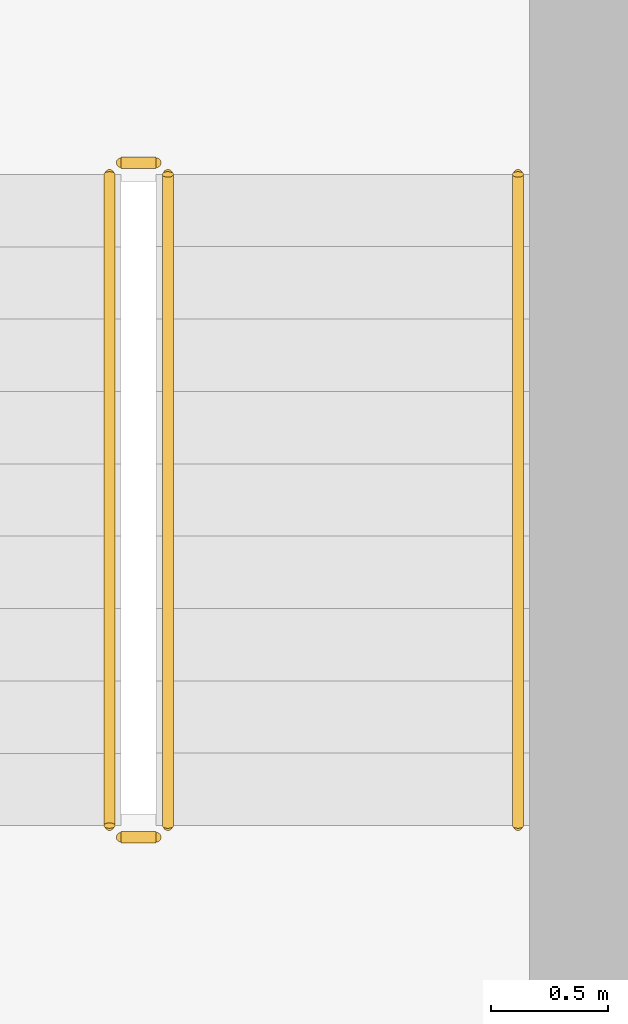
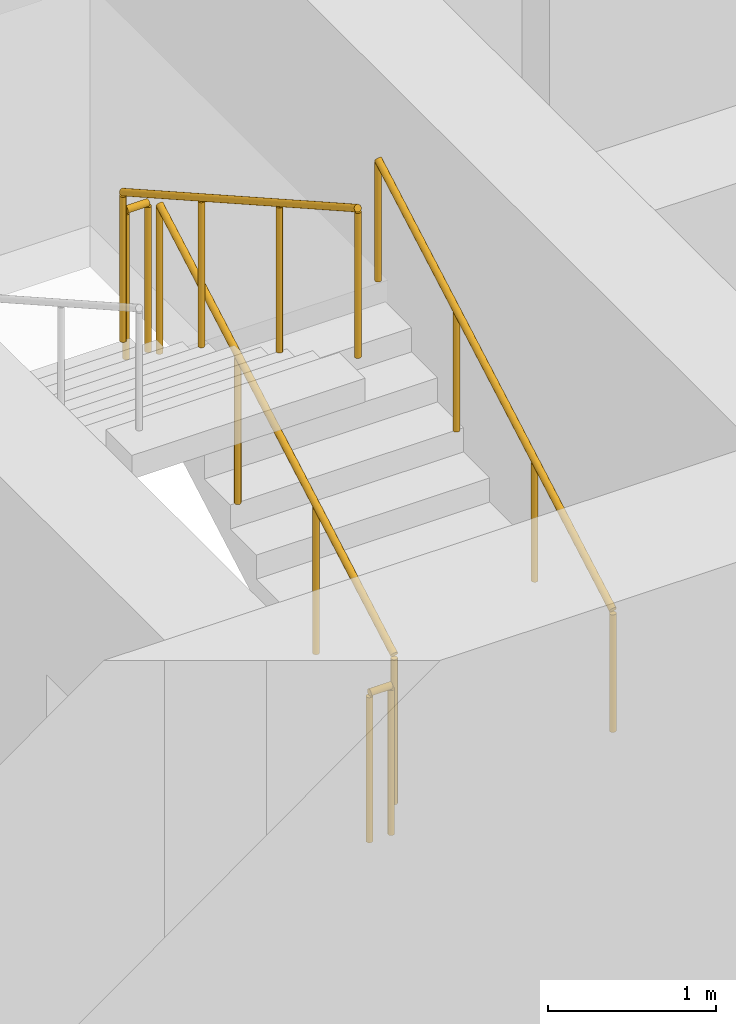
# One storey, part 17 of 21: 5 railings.
"""IFC4 building model written with IfcOpenShell, lengths in metres."""

from ifc_helpers import new_model, si_unit, direction, frame, origin, origin_2d, place, context, subcontext, project, spatial, circle, extrude, material, type_object, element, save


model = new_model("IFC4")

# Units and contexts
model_context = context("Model", 3, precision=1e-05, world=origin(), true_north=direction((0.0, 1.0)))
body_context = subcontext(model_context, "Body", "Model", "MODEL_VIEW")
ifc_project = project(units=[si_unit("LENGTHUNIT", "METRE"), si_unit("AREAUNIT", "SQUARE_METRE"), si_unit("VOLUMEUNIT", "CUBIC_METRE"), si_unit("PLANEANGLEUNIT", "RADIAN"), si_unit("MASSUNIT", "GRAM", prefix="KILO")], contexts=[model_context])

# Site, building, storey
site_placement = place(None, origin())
site = spatial("IfcSite", under=ifc_project, at=site_placement, CompositionType="ELEMENT")
building_placement = place(site_placement, origin())
building = spatial("IfcBuilding", under=site, at=building_placement, Name="Madar Terraces", CompositionType="ELEMENT")
storey_placement = place(building_placement, frame((0.0, 0.0, 36.39990234375)))
storey = spatial("IfcBuildingStorey", under=building, at=storey_placement, Name="L08", CompositionType="ELEMENT", Elevation=36.39990234375)

# Railings
ifc_material_1 = material(Name="Stainless steel railing", Category="steel")
railing_type_1 = type_object("IfcRailingType", Name="Stair guard 1100", PredefinedType="GUARDRAIL", material=ifc_material_1)
railing_1_placement = place(storey_placement, frame((21.199951171875, 17.60009765625, 0.175048828125)))
element("IfcRailing", 1, at=railing_1_placement, inside=storey, type_object=railing_type_1, Name="L08 ST1 stair guard 1", PredefinedType="GUARDRAIL", context=body_context, shape_type="SweptSolid", body=[
    extrude(circle(Radius=0.02392578125, at=origin_2d()), frame((0.0, 0.0, 1.076171875), z_axis=(0.0, 0.870815363784, 0.491610213684), x_axis=(-1.0, 0.0, 0.0)), (0.0, 0.0, 1.0), 3.20361328125),
    extrude(circle(Radius=0.02099609375, at=origin_2d()), origin(), (0.0, 0.0, 1.0), 1.052001953125),
    extrude(circle(Radius=0.02099609375, at=origin_2d()), frame((0.0, 0.929931640625, 0.52490234375)), (0.0, 0.0, 1.0), 1.052001953125),
    extrude(circle(Radius=0.02099609375, at=origin_2d()), frame((0.0, 1.85986328125, 1.050048828125)), (0.0, 0.0, 1.0), 1.052001953125),
    extrude(circle(Radius=0.02099609375, at=origin_2d()), frame((0.0, 2.789794921875, 1.574951171875)), (0.0, 0.0, 1.0), 1.052001953125),
])
railing_2_placement = place(storey_placement, frame((21.14990234375, 20.43994140625, 1.75)))
element("IfcRailing", 2, at=railing_2_placement, inside=storey, type_object=railing_type_1, Name="L08 ST1 stair guard 2", PredefinedType="GUARDRAIL", context=body_context, shape_type="SweptSolid", body=[
    extrude(circle(Radius=0.02392578125, at=origin_2d()), frame((0.0, 0.0, 1.076171875), z_axis=(-1.0, 0.0, 0.0), x_axis=(0.0, -1.0, 0.0)), (0.0, 0.0, 1.0), 0.14990234375),
    extrude(circle(Radius=0.02099609375, at=origin_2d()), origin(), (0.0, 0.0, 1.0), 1.052001953125),
    extrude(circle(Radius=0.02099609375, at=origin_2d()), frame((-0.14990234375, 0.0, 0.0)), (0.0, 0.0, 1.0), 1.052001953125),
])
railing_3_placement = place(storey_placement, frame((20.949951171875, 20.389892578125, 1.925048828125)))
element("IfcRailing", 3, at=railing_3_placement, inside=storey, type_object=railing_type_1, Name="L08 ST1 stair guard 3", PredefinedType="GUARDRAIL", context=body_context, shape_type="SweptSolid", body=[
    extrude(circle(Radius=0.02392578125, at=origin_2d()), frame((0.0, 0.0, 1.076171875), z_axis=(0.0, -0.870815363784, 0.491610213684), x_axis=(1.0, 0.0, 0.0)), (0.0, 0.0, 1.0), 3.20361328125),
    extrude(circle(Radius=0.02099609375, at=origin_2d()), origin(), (0.0, 0.0, 1.0), 1.052001953125),
    extrude(circle(Radius=0.02099609375, at=origin_2d()), frame((0.0, -0.929931640625, 0.52490234375)), (0.0, 0.0, 1.0), 1.052001953125),
    extrude(circle(Radius=0.02099609375, at=origin_2d()), frame((0.0, -1.85986328125, 1.050048828125)), (0.0, 0.0, 1.0), 1.052001953125),
    extrude(circle(Radius=0.02099609375, at=origin_2d()), frame((0.0, -2.789794921875, 1.574951171875)), (0.0, 0.0, 1.0), 1.052001953125),
])
railing_4_placement = place(storey_placement, frame((21.14990234375, 17.550048828125, 0.0)))
element("IfcRailing", 4, at=railing_4_placement, inside=storey, type_object=railing_type_1, Name="L08 ST1 stair guard 4", PredefinedType="GUARDRAIL", context=body_context, shape_type="SweptSolid", body=[
    extrude(circle(Radius=0.02392578125, at=origin_2d()), frame((0.0, 0.0, 1.076171875), z_axis=(-1.0, 0.0, 0.0), x_axis=(0.0, -1.0, 0.0)), (0.0, 0.0, 1.0), 0.14990234375),
    extrude(circle(Radius=0.02099609375, at=origin_2d()), origin(), (0.0, 0.0, 1.0), 1.052001953125),
    extrude(circle(Radius=0.02099609375, at=origin_2d()), frame((-0.14990234375, 0.0, 0.0)), (0.0, 0.0, 1.0), 1.052001953125),
])
ifc_material_2 = material(Name="Stainless steel railing", Category="steel")
railing_type_2 = type_object("IfcRailingType", Name="Stair handrail 900", PredefinedType="HANDRAIL", material=ifc_material_2)
railing_5_placement = place(storey_placement, frame((22.699951171875, 17.60009765625, 0.175048828125)))
element("IfcRailing", 5, at=railing_5_placement, inside=storey, type_object=railing_type_2, Name="L08 ST1 stair handrail 1", PredefinedType="HANDRAIL", context=body_context, shape_type="SweptSolid", body=[
    extrude(circle(Radius=0.02392578125, at=origin_2d()), frame((0.0, 0.0, 0.8759765625), z_axis=(0.0, 0.870815363784, 0.491610213684), x_axis=(-1.0, 0.0, 0.0)), (0.0, 0.0, 1.0), 3.20361328125),
    extrude(circle(Radius=0.02099609375, at=origin_2d()), origin(), (0.0, 0.0, 1.0), 0.851806640625),
    extrude(circle(Radius=0.02099609375, at=origin_2d()), frame((0.0, 0.929931640625, 0.52490234375)), (0.0, 0.0, 1.0), 0.851806640625),
    extrude(circle(Radius=0.02099609375, at=origin_2d()), frame((0.0, 1.85986328125, 1.050048828125)), (0.0, 0.0, 1.0), 0.851806640625),
    extrude(circle(Radius=0.02099609375, at=origin_2d()), frame((0.0, 2.789794921875, 1.574951171875)), (0.0, 0.0, 1.0), 0.851806640625),
])

save(model, "model.ifc")
